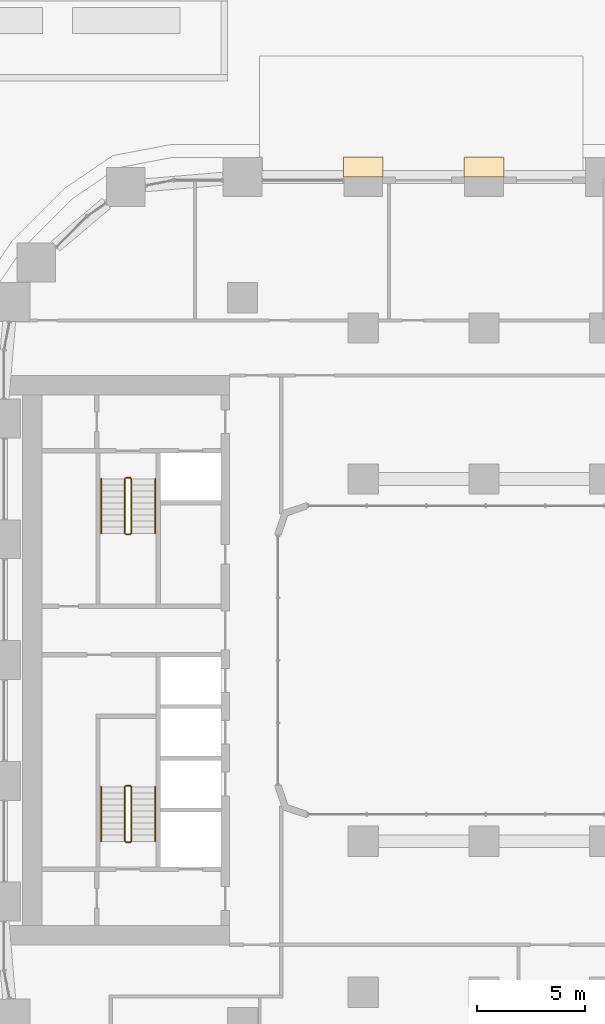
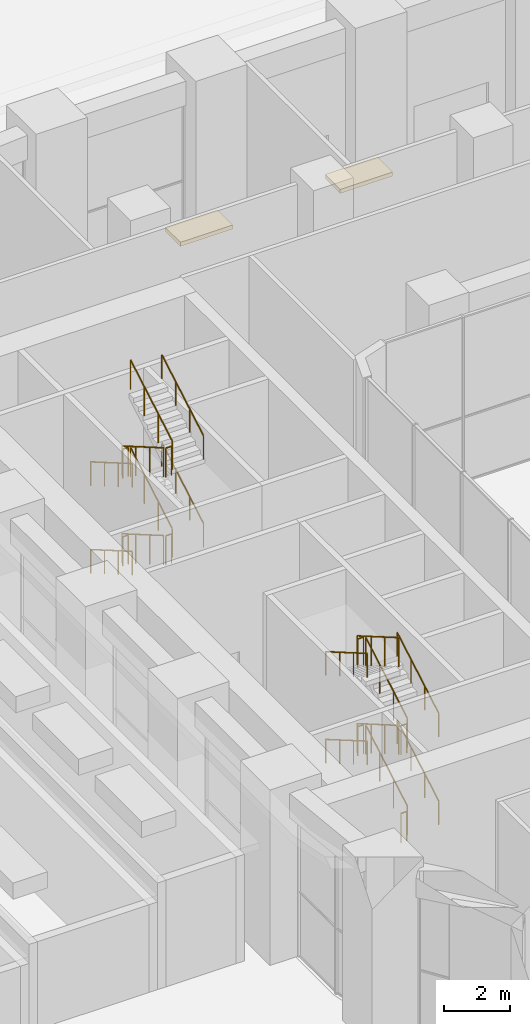
# One storey, part 49 of 51: 24 railings, 2 coverings.
"""IFC4 building model written with IfcOpenShell, lengths in metres."""

from ifc_helpers import new_model, si_unit, direction, frame, origin, origin_2d, place, context, subcontext, project, spatial, polyline, circle, outline, extrude, material, layer, layer_set, type_object, element, save


model = new_model("IFC4")

# Units and contexts
model_context = context("Model", 3, precision=1e-05, world=origin(), true_north=direction((0.0, 1.0)))
body_context = subcontext(model_context, "Body", "Model", "MODEL_VIEW")
ifc_project = project(units=[si_unit("LENGTHUNIT", "METRE"), si_unit("AREAUNIT", "SQUARE_METRE"), si_unit("VOLUMEUNIT", "CUBIC_METRE"), si_unit("PLANEANGLEUNIT", "RADIAN"), si_unit("MASSUNIT", "GRAM", prefix="KILO")], contexts=[model_context])

# Site, building, storey
site_placement = place(None, origin())
site = spatial("IfcSite", under=ifc_project, at=site_placement, CompositionType="ELEMENT")
building_placement = place(site_placement, origin())
building = spatial("IfcBuilding", under=site, at=building_placement, Name="Kiln Ring Residences", CompositionType="ELEMENT")
storey_placement = place(building_placement, origin())
storey = spatial("IfcBuildingStorey", under=building, at=storey_placement, Name="L00", CompositionType="ELEMENT", Elevation=0.0)

# Railings
ifc_material_1 = material(Name="Stainless steel", Category="steel")
railing_type_1 = type_object("IfcRailingType", Name="CORE-STAIR-GUARD", PredefinedType="GUARDRAIL", material=ifc_material_1)
railing_1_placement = place(storey_placement, frame((-22.25, 8.39990234375, 0.16259765625)))
element("IfcRailing", 1, at=railing_1_placement, inside=storey, type_object=railing_type_1, Name="L00 W-STN stair guard 1", PredefinedType="GUARDRAIL", context=body_context, shape_type="SweptSolid", body=[
    extrude(circle(Radius=0.02392578125, at=origin_2d()), frame((0.0, 0.0, 1.076171875), z_axis=(0.0, -0.864913338283, 0.50192122615), x_axis=(1.0, 0.0, 0.0)), (0.0, 0.0, 1.0), 2.91357421875),
    extrude(circle(Radius=0.02099609375, at=origin_2d()), origin(), (0.0, 0.0, 1.0), 1.052001953125),
    extrude(circle(Radius=0.02099609375, at=origin_2d()), frame((0.0, -0.840087890625, 0.487548828125)), (0.0, 0.0, 1.0), 1.052001953125),
    extrude(circle(Radius=0.02099609375, at=origin_2d()), frame((0.0, -1.679931640625, 0.974853515625)), (0.0, 0.0, 1.0), 1.052001953125),
    extrude(circle(Radius=0.02099609375, at=origin_2d()), frame((0.0, -2.52001953125, 1.46240234375)), (0.0, 0.0, 1.0), 1.052001953125),
])
railing_2_placement = place(storey_placement, frame((-22.199951171875, 5.830078125, 1.625)))
element("IfcRailing", 2, at=railing_2_placement, inside=storey, type_object=railing_type_1, Name="L00 W-STN stair guard 2", PredefinedType="GUARDRAIL", context=body_context, shape_type="SweptSolid", body=[
    extrude(circle(Radius=0.02392578125, at=origin_2d()), frame((0.0, 0.0, 1.076171875), z_axis=(1.0, 0.0, 0.0), x_axis=(0.0, 1.0, 0.0)), (0.0, 0.0, 1.0), 0.199951171875),
    extrude(circle(Radius=0.02099609375, at=origin_2d()), origin(), (0.0, 0.0, 1.0), 1.052001953125),
    extrude(circle(Radius=0.02099609375, at=origin_2d()), frame((0.199951171875, 0.0, 0.0)), (0.0, 0.0, 1.0), 1.052001953125),
])
railing_3_placement = place(storey_placement, frame((-21.949951171875, 5.8798828125, 1.78759765625)))
element("IfcRailing", 3, at=railing_3_placement, inside=storey, type_object=railing_type_1, Name="L00 W-STN stair guard 3", PredefinedType="GUARDRAIL", context=body_context, shape_type="SweptSolid", body=[
    extrude(circle(Radius=0.02392578125, at=origin_2d()), frame((0.0, 0.0, 1.076171875), z_axis=(0.0, 0.864913338283, 0.50192122615), x_axis=(-1.0, 0.0, 0.0)), (0.0, 0.0, 1.0), 2.91357421875),
    extrude(circle(Radius=0.02099609375, at=origin_2d()), origin(), (0.0, 0.0, 1.0), 1.052001953125),
    extrude(circle(Radius=0.02099609375, at=origin_2d()), frame((0.0, 0.840087890625, 0.487548828125)), (0.0, 0.0, 1.0), 1.052001953125),
    extrude(circle(Radius=0.02099609375, at=origin_2d()), frame((0.0, 1.679931640625, 0.974853515625)), (0.0, 0.0, 1.0), 1.052001953125),
    extrude(circle(Radius=0.02099609375, at=origin_2d()), frame((0.0, 2.52001953125, 1.46240234375)), (0.0, 0.0, 1.0), 1.052001953125),
])
railing_4_placement = place(storey_placement, frame((-22.199951171875, 8.449951171875, 3.25)))
element("IfcRailing", 4, at=railing_4_placement, inside=storey, type_object=railing_type_1, Name="L00 W-STN stair guard 4", PredefinedType="GUARDRAIL", context=body_context, shape_type="SweptSolid", body=[
    extrude(circle(Radius=0.02392578125, at=origin_2d()), frame((0.0, 0.0, 1.076171875), z_axis=(1.0, 0.0, 0.0), x_axis=(0.0, 1.0, 0.0)), (0.0, 0.0, 1.0), 0.199951171875),
    extrude(circle(Radius=0.02099609375, at=origin_2d()), origin(), (0.0, 0.0, 1.0), 1.052001953125),
    extrude(circle(Radius=0.02099609375, at=origin_2d()), frame((0.199951171875, 0.0, 0.0)), (0.0, 0.0, 1.0), 1.052001953125),
])
railing_5_placement = place(storey_placement, frame((-22.25, 8.39990234375, 3.41259765625)))
element("IfcRailing", 5, at=railing_5_placement, inside=storey, type_object=railing_type_1, Name="L00 W-STN stair guard 5", PredefinedType="GUARDRAIL", context=body_context, shape_type="SweptSolid", body=[
    extrude(circle(Radius=0.02392578125, at=origin_2d()), frame((0.0, 0.0, 1.076171875), z_axis=(0.0, -0.864913338283, 0.50192122615), x_axis=(1.0, 0.0, 0.0)), (0.0, 0.0, 1.0), 2.91357421875),
    extrude(circle(Radius=0.02099609375, at=origin_2d()), origin(), (0.0, 0.0, 1.0), 1.052001953125),
    extrude(circle(Radius=0.02099609375, at=origin_2d()), frame((0.0, -0.840087890625, 0.487548828125)), (0.0, 0.0, 1.0), 1.052001953125),
    extrude(circle(Radius=0.02099609375, at=origin_2d()), frame((0.0, -1.679931640625, 0.974853515625)), (0.0, 0.0, 1.0), 1.052001953125),
    extrude(circle(Radius=0.02099609375, at=origin_2d()), frame((0.0, -2.52001953125, 1.46240234375)), (0.0, 0.0, 1.0), 1.052001953125),
])
railing_6_placement = place(storey_placement, frame((-22.199951171875, 5.830078125, 4.875)))
element("IfcRailing", 6, at=railing_6_placement, inside=storey, type_object=railing_type_1, Name="L00 W-STN stair guard 6", PredefinedType="GUARDRAIL", context=body_context, shape_type="SweptSolid", body=[
    extrude(circle(Radius=0.02392578125, at=origin_2d()), frame((0.0, 0.0, 1.076171875), z_axis=(1.0, 0.0, 0.0), x_axis=(0.0, 1.0, 0.0)), (0.0, 0.0, 1.0), 0.199951171875),
    extrude(circle(Radius=0.02099609375, at=origin_2d()), origin(), (0.0, 0.0, 1.0), 1.052001953125),
    extrude(circle(Radius=0.02099609375, at=origin_2d()), frame((0.199951171875, 0.0, 0.0)), (0.0, 0.0, 1.0), 1.052001953125),
])
railing_7_placement = place(storey_placement, frame((-21.949951171875, 5.8798828125, 5.03759765625)))
element("IfcRailing", 7, at=railing_7_placement, inside=storey, type_object=railing_type_1, Name="L00 W-STN stair guard 7", PredefinedType="GUARDRAIL", context=body_context, shape_type="SweptSolid", body=[
    extrude(circle(Radius=0.02392578125, at=origin_2d()), frame((0.0, 0.0, 1.076171875), z_axis=(0.0, 0.864913338283, 0.50192122615), x_axis=(-1.0, 0.0, 0.0)), (0.0, 0.0, 1.0), 2.91357421875),
    extrude(circle(Radius=0.02099609375, at=origin_2d()), origin(), (0.0, 0.0, 1.0), 1.052001953125),
    extrude(circle(Radius=0.02099609375, at=origin_2d()), frame((0.0, 0.840087890625, 0.487548828125)), (0.0, 0.0, 1.0), 1.052001953125),
    extrude(circle(Radius=0.02099609375, at=origin_2d()), frame((0.0, 1.679931640625, 0.974853515625)), (0.0, 0.0, 1.0), 1.052001953125),
    extrude(circle(Radius=0.02099609375, at=origin_2d()), frame((0.0, 2.52001953125, 1.46240234375)), (0.0, 0.0, 1.0), 1.052001953125),
])
railing_8_placement = place(storey_placement, frame((-22.199951171875, 8.449951171875, 0.0)))
element("IfcRailing", 8, at=railing_8_placement, inside=storey, type_object=railing_type_1, Name="L00 W-STN stair guard 8", PredefinedType="GUARDRAIL", context=body_context, shape_type="SweptSolid", body=[
    extrude(circle(Radius=0.02392578125, at=origin_2d()), frame((0.0, 0.0, 1.076171875), z_axis=(1.0, 0.0, 0.0), x_axis=(0.0, 1.0, 0.0)), (0.0, 0.0, 1.0), 0.199951171875),
    extrude(circle(Radius=0.02099609375, at=origin_2d()), origin(), (0.0, 0.0, 1.0), 1.052001953125),
    extrude(circle(Radius=0.02099609375, at=origin_2d()), frame((0.199951171875, 0.0, 0.0)), (0.0, 0.0, 1.0), 1.052001953125),
])
railing_9_placement = place(storey_placement, frame((-21.949951171875, -8.39990234375, 0.16259765625)))
element("IfcRailing", 9, at=railing_9_placement, inside=storey, type_object=railing_type_1, Name="L00 W-STS stair guard 1", PredefinedType="GUARDRAIL", context=body_context, shape_type="SweptSolid", body=[
    extrude(circle(Radius=0.02392578125, at=origin_2d()), frame((0.0, 0.0, 1.076171875), z_axis=(0.0, 0.864913338283, 0.50192122615), x_axis=(-1.0, 0.0, 0.0)), (0.0, 0.0, 1.0), 2.91357421875),
    extrude(circle(Radius=0.02099609375, at=origin_2d()), origin(), (0.0, 0.0, 1.0), 1.052001953125),
    extrude(circle(Radius=0.02099609375, at=origin_2d()), frame((0.0, 0.840087890625, 0.487548828125)), (0.0, 0.0, 1.0), 1.052001953125),
    extrude(circle(Radius=0.02099609375, at=origin_2d()), frame((0.0, 1.679931640625, 0.974853515625)), (0.0, 0.0, 1.0), 1.052001953125),
    extrude(circle(Radius=0.02099609375, at=origin_2d()), frame((0.0, 2.52001953125, 1.46240234375)), (0.0, 0.0, 1.0), 1.052001953125),
])
railing_10_placement = place(storey_placement, frame((-22.0, -5.830078125, 1.625)))
element("IfcRailing", 10, at=railing_10_placement, inside=storey, type_object=railing_type_1, Name="L00 W-STS stair guard 2", PredefinedType="GUARDRAIL", context=body_context, shape_type="SweptSolid", body=[
    extrude(circle(Radius=0.02392578125, at=origin_2d()), frame((0.0, 0.0, 1.076171875), z_axis=(-1.0, 0.0, 0.0), x_axis=(0.0, -1.0, 0.0)), (0.0, 0.0, 1.0), 0.199951171875),
    extrude(circle(Radius=0.02099609375, at=origin_2d()), origin(), (0.0, 0.0, 1.0), 1.052001953125),
    extrude(circle(Radius=0.02099609375, at=origin_2d()), frame((-0.199951171875, 0.0, 0.0)), (0.0, 0.0, 1.0), 1.052001953125),
])
railing_11_placement = place(storey_placement, frame((-22.25, -5.8798828125, 1.78759765625)))
element("IfcRailing", 11, at=railing_11_placement, inside=storey, type_object=railing_type_1, Name="L00 W-STS stair guard 3", PredefinedType="GUARDRAIL", context=body_context, shape_type="SweptSolid", body=[
    extrude(circle(Radius=0.02392578125, at=origin_2d()), frame((0.0, 0.0, 1.076171875), z_axis=(0.0, -0.864913338283, 0.50192122615), x_axis=(1.0, 0.0, 0.0)), (0.0, 0.0, 1.0), 2.91357421875),
    extrude(circle(Radius=0.02099609375, at=origin_2d()), origin(), (0.0, 0.0, 1.0), 1.052001953125),
    extrude(circle(Radius=0.02099609375, at=origin_2d()), frame((0.0, -0.840087890625, 0.487548828125)), (0.0, 0.0, 1.0), 1.052001953125),
    extrude(circle(Radius=0.02099609375, at=origin_2d()), frame((0.0, -1.679931640625, 0.974853515625)), (0.0, 0.0, 1.0), 1.052001953125),
    extrude(circle(Radius=0.02099609375, at=origin_2d()), frame((0.0, -2.52001953125, 1.46240234375)), (0.0, 0.0, 1.0), 1.052001953125),
])
railing_12_placement = place(storey_placement, frame((-22.0, -8.449951171875, 3.25)))
element("IfcRailing", 12, at=railing_12_placement, inside=storey, type_object=railing_type_1, Name="L00 W-STS stair guard 4", PredefinedType="GUARDRAIL", context=body_context, shape_type="SweptSolid", body=[
    extrude(circle(Radius=0.02392578125, at=origin_2d()), frame((0.0, 0.0, 1.076171875), z_axis=(-1.0, 0.0, 0.0), x_axis=(0.0, -1.0, 0.0)), (0.0, 0.0, 1.0), 0.199951171875),
    extrude(circle(Radius=0.02099609375, at=origin_2d()), origin(), (0.0, 0.0, 1.0), 1.052001953125),
    extrude(circle(Radius=0.02099609375, at=origin_2d()), frame((-0.199951171875, 0.0, 0.0)), (0.0, 0.0, 1.0), 1.052001953125),
])
railing_13_placement = place(storey_placement, frame((-21.949951171875, -8.39990234375, 3.41259765625)))
element("IfcRailing", 13, at=railing_13_placement, inside=storey, type_object=railing_type_1, Name="L00 W-STS stair guard 5", PredefinedType="GUARDRAIL", context=body_context, shape_type="SweptSolid", body=[
    extrude(circle(Radius=0.02392578125, at=origin_2d()), frame((0.0, 0.0, 1.076171875), z_axis=(0.0, 0.864913338283, 0.50192122615), x_axis=(-1.0, 0.0, 0.0)), (0.0, 0.0, 1.0), 2.91357421875),
    extrude(circle(Radius=0.02099609375, at=origin_2d()), origin(), (0.0, 0.0, 1.0), 1.052001953125),
    extrude(circle(Radius=0.02099609375, at=origin_2d()), frame((0.0, 0.840087890625, 0.487548828125)), (0.0, 0.0, 1.0), 1.052001953125),
    extrude(circle(Radius=0.02099609375, at=origin_2d()), frame((0.0, 1.679931640625, 0.974853515625)), (0.0, 0.0, 1.0), 1.052001953125),
    extrude(circle(Radius=0.02099609375, at=origin_2d()), frame((0.0, 2.52001953125, 1.46240234375)), (0.0, 0.0, 1.0), 1.052001953125),
])
railing_14_placement = place(storey_placement, frame((-22.0, -5.830078125, 4.875)))
element("IfcRailing", 14, at=railing_14_placement, inside=storey, type_object=railing_type_1, Name="L00 W-STS stair guard 6", PredefinedType="GUARDRAIL", context=body_context, shape_type="SweptSolid", body=[
    extrude(circle(Radius=0.02392578125, at=origin_2d()), frame((0.0, 0.0, 1.076171875), z_axis=(-1.0, 0.0, 0.0), x_axis=(0.0, -1.0, 0.0)), (0.0, 0.0, 1.0), 0.199951171875),
    extrude(circle(Radius=0.02099609375, at=origin_2d()), origin(), (0.0, 0.0, 1.0), 1.052001953125),
    extrude(circle(Radius=0.02099609375, at=origin_2d()), frame((-0.199951171875, 0.0, 0.0)), (0.0, 0.0, 1.0), 1.052001953125),
])
railing_15_placement = place(storey_placement, frame((-22.25, -5.8798828125, 5.03759765625)))
element("IfcRailing", 15, at=railing_15_placement, inside=storey, type_object=railing_type_1, Name="L00 W-STS stair guard 7", PredefinedType="GUARDRAIL", context=body_context, shape_type="SweptSolid", body=[
    extrude(circle(Radius=0.02392578125, at=origin_2d()), frame((0.0, 0.0, 1.076171875), z_axis=(0.0, -0.864913338283, 0.50192122615), x_axis=(1.0, 0.0, 0.0)), (0.0, 0.0, 1.0), 2.91357421875),
    extrude(circle(Radius=0.02099609375, at=origin_2d()), origin(), (0.0, 0.0, 1.0), 1.052001953125),
    extrude(circle(Radius=0.02099609375, at=origin_2d()), frame((0.0, -0.840087890625, 0.487548828125)), (0.0, 0.0, 1.0), 1.052001953125),
    extrude(circle(Radius=0.02099609375, at=origin_2d()), frame((0.0, -1.679931640625, 0.974853515625)), (0.0, 0.0, 1.0), 1.052001953125),
    extrude(circle(Radius=0.02099609375, at=origin_2d()), frame((0.0, -2.52001953125, 1.46240234375)), (0.0, 0.0, 1.0), 1.052001953125),
])
railing_16_placement = place(storey_placement, frame((-22.0, -8.449951171875, 0.0)))
element("IfcRailing", 16, at=railing_16_placement, inside=storey, type_object=railing_type_1, Name="L00 W-STS stair guard 8", PredefinedType="GUARDRAIL", context=body_context, shape_type="SweptSolid", body=[
    extrude(circle(Radius=0.02392578125, at=origin_2d()), frame((0.0, 0.0, 1.076171875), z_axis=(-1.0, 0.0, 0.0), x_axis=(0.0, -1.0, 0.0)), (0.0, 0.0, 1.0), 0.199951171875),
    extrude(circle(Radius=0.02099609375, at=origin_2d()), origin(), (0.0, 0.0, 1.0), 1.052001953125),
    extrude(circle(Radius=0.02099609375, at=origin_2d()), frame((-0.199951171875, 0.0, 0.0)), (0.0, 0.0, 1.0), 1.052001953125),
])
ifc_material_2 = material(Name="Stainless steel", Category="steel")
railing_type_2 = type_object("IfcRailingType", Name="CORE-STAIR-HANDRAIL", PredefinedType="HANDRAIL", material=ifc_material_2)
railing_17_placement = place(storey_placement, frame((-23.35009765625, 8.39990234375, 0.16259765625)))
element("IfcRailing", 17, at=railing_17_placement, inside=storey, type_object=railing_type_2, Name="L00 W-STN stair handrail 1", PredefinedType="HANDRAIL", context=body_context, shape_type="SweptSolid", body=[
    extrude(circle(Radius=0.02392578125, at=origin_2d()), frame((0.0, 0.0, 0.8759765625), z_axis=(0.0, -0.864913338283, 0.50192122615), x_axis=(1.0, 0.0, 0.0)), (0.0, 0.0, 1.0), 2.91357421875),
    extrude(circle(Radius=0.02099609375, at=origin_2d()), origin(), (0.0, 0.0, 1.0), 0.851806640625),
    extrude(circle(Radius=0.02099609375, at=origin_2d()), frame((0.0, -0.840087890625, 0.487548828125)), (0.0, 0.0, 1.0), 0.851806640625),
    extrude(circle(Radius=0.02099609375, at=origin_2d()), frame((0.0, -1.679931640625, 0.974853515625)), (0.0, 0.0, 1.0), 0.851806640625),
    extrude(circle(Radius=0.02099609375, at=origin_2d()), frame((0.0, -2.52001953125, 1.46240234375)), (0.0, 0.0, 1.0), 0.851806640625),
])
railing_18_placement = place(storey_placement, frame((-20.85009765625, 5.8798828125, 1.78759765625)))
element("IfcRailing", 18, at=railing_18_placement, inside=storey, type_object=railing_type_2, Name="L00 W-STN stair handrail 2", PredefinedType="HANDRAIL", context=body_context, shape_type="SweptSolid", body=[
    extrude(circle(Radius=0.02392578125, at=origin_2d()), frame((0.0, 0.0, 0.8759765625), z_axis=(0.0, 0.864913338283, 0.50192122615), x_axis=(-1.0, 0.0, 0.0)), (0.0, 0.0, 1.0), 2.91357421875),
    extrude(circle(Radius=0.02099609375, at=origin_2d()), origin(), (0.0, 0.0, 1.0), 0.851806640625),
    extrude(circle(Radius=0.02099609375, at=origin_2d()), frame((0.0, 0.840087890625, 0.487548828125)), (0.0, 0.0, 1.0), 0.851806640625),
    extrude(circle(Radius=0.02099609375, at=origin_2d()), frame((0.0, 1.679931640625, 0.974853515625)), (0.0, 0.0, 1.0), 0.851806640625),
    extrude(circle(Radius=0.02099609375, at=origin_2d()), frame((0.0, 2.52001953125, 1.46240234375)), (0.0, 0.0, 1.0), 0.851806640625),
])
railing_19_placement = place(storey_placement, frame((-23.35009765625, 8.39990234375, 3.41259765625)))
element("IfcRailing", 19, at=railing_19_placement, inside=storey, type_object=railing_type_2, Name="L00 W-STN stair handrail 3", PredefinedType="HANDRAIL", context=body_context, shape_type="SweptSolid", body=[
    extrude(circle(Radius=0.02392578125, at=origin_2d()), frame((0.0, 0.0, 0.8759765625), z_axis=(0.0, -0.864913338283, 0.50192122615), x_axis=(1.0, 0.0, 0.0)), (0.0, 0.0, 1.0), 2.91357421875),
    extrude(circle(Radius=0.02099609375, at=origin_2d()), origin(), (0.0, 0.0, 1.0), 0.851806640625),
    extrude(circle(Radius=0.02099609375, at=origin_2d()), frame((0.0, -0.840087890625, 0.487548828125)), (0.0, 0.0, 1.0), 0.851806640625),
    extrude(circle(Radius=0.02099609375, at=origin_2d()), frame((0.0, -1.679931640625, 0.974853515625)), (0.0, 0.0, 1.0), 0.851806640625),
    extrude(circle(Radius=0.02099609375, at=origin_2d()), frame((0.0, -2.52001953125, 1.46240234375)), (0.0, 0.0, 1.0), 0.851806640625),
])
for number, where, name in (
    (20, (-20.85009765625, 5.8798828125, 5.03759765625), "L00 W-STN stair handrail 4"),
    (21, (-20.85009765625, -8.39990234375, 0.16259765625), "L00 W-STS stair handrail 1"),
):
    element("IfcRailing", number, at=place(storey_placement, frame(where)), inside=storey, type_object=railing_type_2, Name=name, PredefinedType="HANDRAIL", context=body_context, shape_type="SweptSolid", body=[
        extrude(circle(Radius=0.02392578125, at=origin_2d()), frame((0.0, 0.0, 0.8759765625), z_axis=(0.0, 0.864913338283, 0.50192122615), x_axis=(-1.0, 0.0, 0.0)), (0.0, 0.0, 1.0), 2.91357421875),
        extrude(circle(Radius=0.02099609375, at=origin_2d()), origin(), (0.0, 0.0, 1.0), 0.851806640625),
        extrude(circle(Radius=0.02099609375, at=origin_2d()), frame((0.0, 0.840087890625, 0.487548828125)), (0.0, 0.0, 1.0), 0.851806640625),
        extrude(circle(Radius=0.02099609375, at=origin_2d()), frame((0.0, 1.679931640625, 0.974853515625)), (0.0, 0.0, 1.0), 0.851806640625),
        extrude(circle(Radius=0.02099609375, at=origin_2d()), frame((0.0, 2.52001953125, 1.46240234375)), (0.0, 0.0, 1.0), 0.851806640625),
    ])
railing_20_placement = place(storey_placement, frame((-23.35009765625, -5.8798828125, 1.78759765625)))
element("IfcRailing", 22, at=railing_20_placement, inside=storey, type_object=railing_type_2, Name="L00 W-STS stair handrail 2", PredefinedType="HANDRAIL", context=body_context, shape_type="SweptSolid", body=[
    extrude(circle(Radius=0.02392578125, at=origin_2d()), frame((0.0, 0.0, 0.8759765625), z_axis=(0.0, -0.864913338283, 0.50192122615), x_axis=(1.0, 0.0, 0.0)), (0.0, 0.0, 1.0), 2.91357421875),
    extrude(circle(Radius=0.02099609375, at=origin_2d()), origin(), (0.0, 0.0, 1.0), 0.851806640625),
    extrude(circle(Radius=0.02099609375, at=origin_2d()), frame((0.0, -0.840087890625, 0.487548828125)), (0.0, 0.0, 1.0), 0.851806640625),
    extrude(circle(Radius=0.02099609375, at=origin_2d()), frame((0.0, -1.679931640625, 0.974853515625)), (0.0, 0.0, 1.0), 0.851806640625),
    extrude(circle(Radius=0.02099609375, at=origin_2d()), frame((0.0, -2.52001953125, 1.46240234375)), (0.0, 0.0, 1.0), 0.851806640625),
])
railing_21_placement = place(storey_placement, frame((-20.85009765625, -8.39990234375, 3.41259765625)))
element("IfcRailing", 23, at=railing_21_placement, inside=storey, type_object=railing_type_2, Name="L00 W-STS stair handrail 3", PredefinedType="HANDRAIL", context=body_context, shape_type="SweptSolid", body=[
    extrude(circle(Radius=0.02392578125, at=origin_2d()), frame((0.0, 0.0, 0.8759765625), z_axis=(0.0, 0.864913338283, 0.50192122615), x_axis=(-1.0, 0.0, 0.0)), (0.0, 0.0, 1.0), 2.91357421875),
    extrude(circle(Radius=0.02099609375, at=origin_2d()), origin(), (0.0, 0.0, 1.0), 0.851806640625),
    extrude(circle(Radius=0.02099609375, at=origin_2d()), frame((0.0, 0.840087890625, 0.487548828125)), (0.0, 0.0, 1.0), 0.851806640625),
    extrude(circle(Radius=0.02099609375, at=origin_2d()), frame((0.0, 1.679931640625, 0.974853515625)), (0.0, 0.0, 1.0), 0.851806640625),
    extrude(circle(Radius=0.02099609375, at=origin_2d()), frame((0.0, 2.52001953125, 1.46240234375)), (0.0, 0.0, 1.0), 0.851806640625),
])
railing_22_placement = place(storey_placement, frame((-23.35009765625, -5.8798828125, 5.03759765625)))
element("IfcRailing", 24, at=railing_22_placement, inside=storey, type_object=railing_type_2, Name="L00 W-STS stair handrail 4", PredefinedType="HANDRAIL", context=body_context, shape_type="SweptSolid", body=[
    extrude(circle(Radius=0.02392578125, at=origin_2d()), frame((0.0, 0.0, 0.8759765625), z_axis=(0.0, -0.864913338283, 0.50192122615), x_axis=(1.0, 0.0, 0.0)), (0.0, 0.0, 1.0), 2.91357421875),
    extrude(circle(Radius=0.02099609375, at=origin_2d()), origin(), (0.0, 0.0, 1.0), 0.851806640625),
    extrude(circle(Radius=0.02099609375, at=origin_2d()), frame((0.0, -0.840087890625, 0.487548828125)), (0.0, 0.0, 1.0), 0.851806640625),
    extrude(circle(Radius=0.02099609375, at=origin_2d()), frame((0.0, -1.679931640625, 0.974853515625)), (0.0, 0.0, 1.0), 0.851806640625),
    extrude(circle(Radius=0.02099609375, at=origin_2d()), frame((0.0, -2.52001953125, 1.46240234375)), (0.0, 0.0, 1.0), 0.851806640625),
])

# Coverings
ifc_material_3 = material(Name="Paving and landscape")
ifc_layer = layer(ifc_material_3, 0.14990234375)
ifc_layer_set = layer_set([ifc_layer], Name="SITE GROUND SKIN 150")
covering_type = type_object("IfcCoveringType", Name="SITE GROUND SKIN 150", PredefinedType="USERDEFINED", material=ifc_layer_set)
placement = place(storey_placement, frame((0.0, 0.0, -0.14990234375)))
element("IfcCovering", 25, at=placement, inside=storey, type_object=covering_type, Name="Site ground", ObjectType="SITE GROUND", PredefinedType="USERDEFINED", context=body_context, shape_type="SweptSolid", body=[
    extrude(outline(polyline([(-10.280029296875, 22.39990234375), (-10.280029296875, 23.300048828125), (-10.280029296875, 23.302001953125), (-10.280517578125, 23.303955078125), (-10.281005859375, 23.305908203125), (-10.281494140625, 23.3076171875), (-10.282470703125, 23.309326171875), (-10.283447265625, 23.31103515625), (-10.284423828125, 23.312744140625), (-10.285888671875, 23.314208984375), (-10.287353515625, 23.3154296875), (-10.288818359375, 23.316650390625), (-10.29052734375, 23.317626953125), (-10.292236328125, 23.318603515625), (-10.294189453125, 23.319091796875), (-10.296142578125, 23.319580078125), (-10.298095703125, 23.31982421875), (-10.300048828125, 23.320068359375), (-12.10009765625, 23.320068359375), (-12.10205078125, 23.31982421875), (-12.10400390625, 23.319580078125), (-12.105712890625, 23.319091796875), (-12.107666015625, 23.318603515625), (-12.109375, 23.317626953125), (-12.111083984375, 23.316650390625), (-12.11279296875, 23.3154296875), (-12.114013671875, 23.314208984375), (-12.115478515625, 23.312744140625), (-12.11669921875, 23.31103515625), (-12.11767578125, 23.309326171875), (-12.118408203125, 23.3076171875), (-12.119140625, 23.305908203125), (-12.11962890625, 23.303955078125), (-12.119873046875, 23.302001953125), (-12.1201171875, 23.300048828125), (-12.1201171875, 22.39990234375), (-10.280029296875, 22.39990234375)])), origin(), (0.0, 0.0, 1.0), 0.14990234375),
])
element("IfcCovering", 26, at=placement, inside=storey, type_object=covering_type, Name="Site ground", ObjectType="SITE GROUND", PredefinedType="USERDEFINED", context=body_context, shape_type="SweptSolid", body=[
    extrude(outline(polyline([(-4.679931640625, 22.39990234375), (-4.679931640625, 23.300048828125), (-4.68017578125, 23.302001953125), (-4.680419921875, 23.303955078125), (-4.680908203125, 23.305908203125), (-4.681396484375, 23.3076171875), (-4.682373046875, 23.309326171875), (-4.683349609375, 23.31103515625), (-4.6845703125, 23.312744140625), (-4.685791015625, 23.314208984375), (-4.687255859375, 23.3154296875), (-4.68896484375, 23.316650390625), (-4.690673828125, 23.317626953125), (-4.6923828125, 23.318603515625), (-4.694091796875, 23.319091796875), (-4.696044921875, 23.319580078125), (-4.697998046875, 23.31982421875), (-4.699951171875, 23.320068359375), (-6.5, 23.320068359375), (-6.501953125, 23.31982421875), (-6.50390625, 23.319580078125), (-6.505859375, 23.319091796875), (-6.5078125, 23.318603515625), (-6.509521484375, 23.317626953125), (-6.510986328125, 23.316650390625), (-6.5126953125, 23.3154296875), (-6.51416015625, 23.314208984375), (-6.515380859375, 23.312744140625), (-6.5166015625, 23.31103515625), (-6.517578125, 23.309326171875), (-6.5185546875, 23.3076171875), (-6.51904296875, 23.305908203125), (-6.51953125, 23.303955078125), (-6.52001953125, 23.302001953125), (-6.52001953125, 23.300048828125), (-6.52001953125, 22.39990234375), (-4.679931640625, 22.39990234375)])), origin(), (0.0, 0.0, 1.0), 0.14990234375),
])

save(model, "model.ifc")
